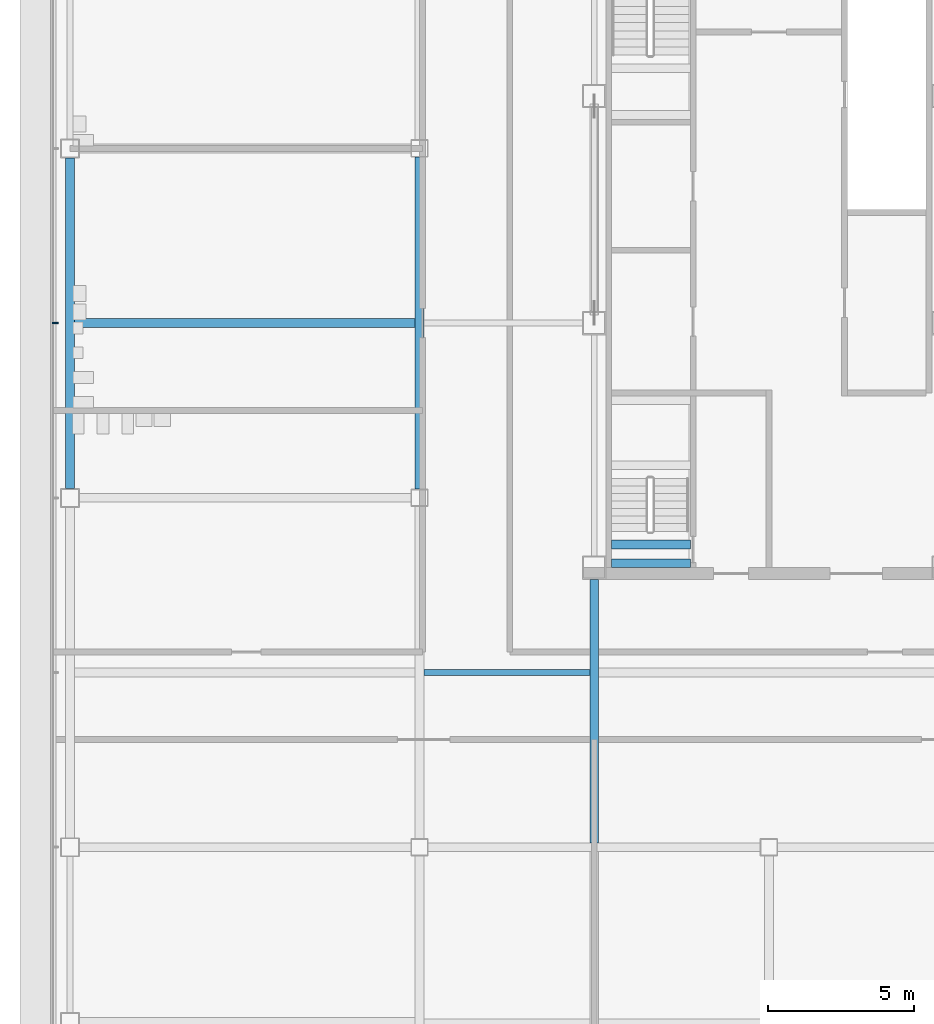
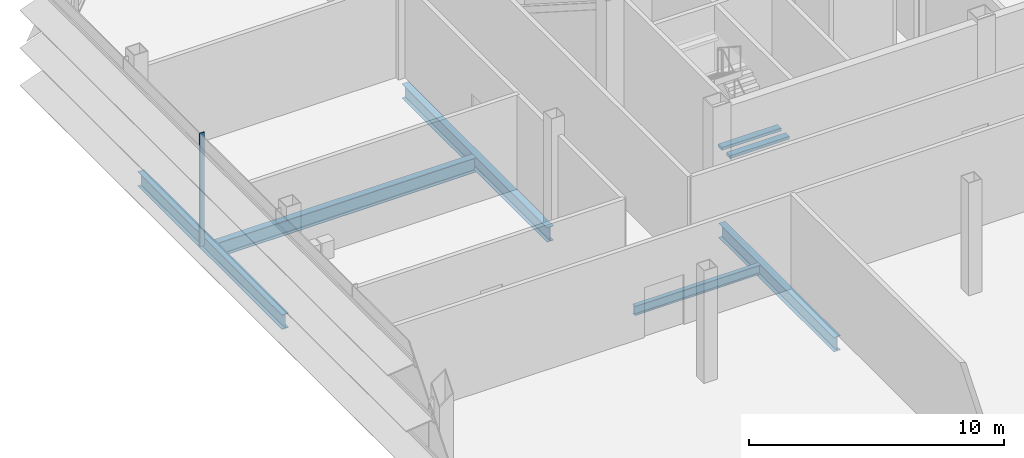
# One storey, part 6 of 25: 7 beams, 1 member, 1 element without a shape of its own.
"""IFC4 building model written with IfcOpenShell, lengths in metres."""

from ifc_helpers import new_model, si_unit, direction, frame, origin, origin_2d, place, context, subcontext, project, spatial, rectangle, i_section, extrude, material, material_profile, profile_set, type_object, element, aggregate, save


model = new_model("IFC4")

# Units and contexts
model_context = context("Model", 3, precision=1e-05, world=origin(), true_north=direction((0.0, 1.0)))
body_context = subcontext(model_context, "Body", "Model", "MODEL_VIEW")
ifc_project = project(units=[si_unit("LENGTHUNIT", "METRE"), si_unit("AREAUNIT", "SQUARE_METRE"), si_unit("VOLUMEUNIT", "CUBIC_METRE"), si_unit("PLANEANGLEUNIT", "RADIAN"), si_unit("MASSUNIT", "GRAM", prefix="KILO")], contexts=[model_context])

# Site, building, storey
site_placement = place(None, origin())
site = spatial("IfcSite", under=ifc_project, at=site_placement, CompositionType="ELEMENT")
building_placement = place(site_placement, origin())
building = spatial("IfcBuilding", under=site, at=building_placement, Name="Sorahane Residences", CompositionType="ELEMENT")
storey_placement = place(building_placement, frame((0.0, 0.0, 210.0)))
storey = spatial("IfcBuildingStorey", under=building, at=storey_placement, Name="L49", CompositionType="ELEMENT", Elevation=210.0)

# Curtain wall, member
ifc_material_1 = material(Name="Dark low-e glass and black anodised aluminium", Category="aluminium")
curtain_wall_type = type_object("IfcCurtainWallType", Name="Curtain wall CW-4 Sky floor frameless wall", PredefinedType="NOTDEFINED", material=ifc_material_1)
curtain_wall_placement = place(storey_placement, origin())
curtain_wall = element("IfcCurtainWall", 1, at=curtain_wall_placement, inside=storey, type_object=curtain_wall_type, Name="CW-4 curtain wall L49 W1", PredefinedType="NOTDEFINED")
ifc_material_2 = material(Name="Black anodised aluminium", Category="aluminium")
ifc_material_profile_1 = material_profile(ifc_material_2, rectangle(XDim=0.219970703125, YDim=0.050048828125, at=origin_2d()), Name="Curtain wall mullion CW-4 black anodised aluminium 50x220")
ifc_profile_set_1 = profile_set([ifc_material_profile_1], Name="Black anodised aluminium")
member_type = type_object("IfcMemberType", Name="Curtain wall mullion CW-4 black anodised aluminium 50x220", PredefinedType="MULLION", material=ifc_profile_set_1)
member_placement = place(storey_placement, frame((-12.510009765625, 30.0, -0.219970703125), z_axis=(0.0, 0.0, 1.0), x_axis=(-1.0, 0.0, 0.0)))
member = element("IfcMember", 2, at=member_placement, type_object=member_type, Name="CW-4 mullion L49 W1.3", PredefinedType="MULLION", context=body_context, shape_type="SweptSolid", body=[
    extrude(rectangle(XDim=0.219970703125, YDim=0.050048828125, at=origin_2d()), origin(), (0.0, 0.0, 1.0), 5.43994140625),
])
aggregate(curtain_wall, [member])

# Beams
ifc_material_3 = material(Name="Concrete C40", Category="concrete")
ifc_material_profile_2 = material_profile(ifc_material_3, rectangle(XDim=0.300048828125, YDim=0.139892578125, at=origin_2d()), Name="300x140")
ifc_profile_set_2 = profile_set([ifc_material_profile_2], Name="Concrete C40")
beam_type_1 = type_object("IfcBeamType", Name="RC landing beam 300 x 140 Concrete C40", PredefinedType="BEAM", material=ifc_profile_set_2)
for number, where, z_axis, x_axis, name in (
    (3, (6.60009765625, 21.75, 2.429931640625), (1.0, 0.0, 0.0), (0.0, 1.0, 0.0), "Landing beam"),
    (4, (6.60009765625, 22.39990234375, 2.429931640625), (1.0, 0.0, 0.0), (0.0, 1.0, 0.0), "Landing beam"),
):
    element("IfcBeam", number, at=place(storey_placement, frame(where, z_axis=z_axis, x_axis=x_axis)), inside=storey, type_object=beam_type_1, Name=name, PredefinedType="BEAM", context=body_context, shape_type="SweptSolid", body=[
        extrude(rectangle(XDim=0.300048828125, YDim=0.139892578125, at=origin_2d()), origin(), (0.0, 0.0, 1.0), 2.699951171875),
    ])
ifc_material_4 = material(Name="Steel Q355B", Category="steel")
ifc_material_profile_3 = material_profile(ifc_material_4, i_section(OverallWidth=0.199951171875, OverallDepth=0.449951171875, WebThickness=0.009033203125, FlangeThickness=0.013916015625, FilletRadius=0.02001953125, at=origin_2d()), Name="HN 450x200x9x14")
ifc_profile_set_3 = profile_set([ifc_material_profile_3], Name="Steel Q355B")
beam_type_2 = type_object("IfcBeamType", Name="Steel floor beam HN 450x200x9x14 Q355B", PredefinedType="BEAM", material=ifc_profile_set_3)
beam_1_placement = place(storey_placement, frame((0.14990234375, 18.0, -0.445068359375), z_axis=(1.0, 0.0, 0.0), x_axis=(0.0, 1.0, 0.0)))
element("IfcBeam", 5, at=beam_1_placement, inside=storey, type_object=beam_type_2, Name="Beam L49 079", PredefinedType="BEAM", context=body_context, shape_type="SweptSolid", body=[
    extrude(i_section(OverallWidth=0.199951171875, OverallDepth=0.449951171875, WebThickness=0.009033203125, FlangeThickness=0.013916015625, FilletRadius=0.02001953125, at=origin_2d()), origin(), (0.0, 0.0, 1.0), 5.7001953125),
])
ifc_material_5 = material(Name="Steel Q355B", Category="steel")
ifc_material_profile_4 = material_profile(ifc_material_5, i_section(OverallWidth=0.300048828125, OverallDepth=0.699951171875, WebThickness=0.012939453125, FlangeThickness=0.02392578125, FilletRadius=0.028076171875, at=origin_2d()), Name="HN 700x300x13x24")
ifc_profile_set_4 = profile_set([ifc_material_profile_4], Name="Steel Q355B")
beam_type_3 = type_object("IfcBeamType", Name="Steel floor beam HN 700x300x13x24 Q355B", PredefinedType="BEAM", material=ifc_profile_set_4)
beam_2_placement = place(storey_placement, frame((-12.0, 24.324951171875, -0.570068359375), z_axis=(0.0, 1.0, 0.0), x_axis=(-1.0, 0.0, 0.0)))
element("IfcBeam", 6, at=beam_2_placement, inside=storey, type_object=beam_type_3, Name="Beam L49 022", PredefinedType="BEAM", context=body_context, shape_type="SweptSolid", body=[
    extrude(i_section(OverallWidth=0.300048828125, OverallDepth=0.699951171875, WebThickness=0.012939453125, FlangeThickness=0.02392578125, FilletRadius=0.028076171875, at=origin_2d()), origin(), (0.0, 0.0, 1.0), 11.35009765625),
])
beam_3_placement = place(storey_placement, frame((0.0, 24.300048828125, -0.570068359375), z_axis=(0.0, 1.0, 0.0), x_axis=(-1.0, 0.0, 0.0)))
element("IfcBeam", 7, at=beam_3_placement, inside=storey, type_object=beam_type_3, Name="Beam L49 026", PredefinedType="BEAM", context=body_context, shape_type="SweptSolid", body=[
    extrude(i_section(OverallWidth=0.300048828125, OverallDepth=0.699951171875, WebThickness=0.012939453125, FlangeThickness=0.02392578125, FilletRadius=0.028076171875, at=origin_2d()), origin(), (0.0, 0.0, 1.0), 11.39990234375),
])
beam_4_placement = place(storey_placement, frame((6.0, 12.14990234375, -0.570068359375), z_axis=(0.0, 1.0, 0.0), x_axis=(-1.0, 0.0, 0.0)))
element("IfcBeam", 8, at=beam_4_placement, inside=storey, type_object=beam_type_3, Name="Beam L49 029", PredefinedType="BEAM", context=body_context, shape_type="SweptSolid", body=[
    extrude(i_section(OverallWidth=0.300048828125, OverallDepth=0.699951171875, WebThickness=0.012939453125, FlangeThickness=0.02392578125, FilletRadius=0.028076171875, at=origin_2d()), origin(), (0.0, 0.0, 1.0), 9.050048828125),
])
beam_5_placement = place(storey_placement, frame((-11.85009765625, 30.0, -0.570068359375), z_axis=(1.0, 0.0, 0.0), x_axis=(0.0, 1.0, 0.0)))
element("IfcBeam", 9, at=beam_5_placement, inside=storey, type_object=beam_type_3, Name="Beam L49 085", PredefinedType="BEAM", context=body_context, shape_type="SweptSolid", body=[
    extrude(i_section(OverallWidth=0.300048828125, OverallDepth=0.699951171875, WebThickness=0.012939453125, FlangeThickness=0.02392578125, FilletRadius=0.028076171875, at=origin_2d()), origin(), (0.0, 0.0, 1.0), 11.7001953125),
])

save(model, "model.ifc")
